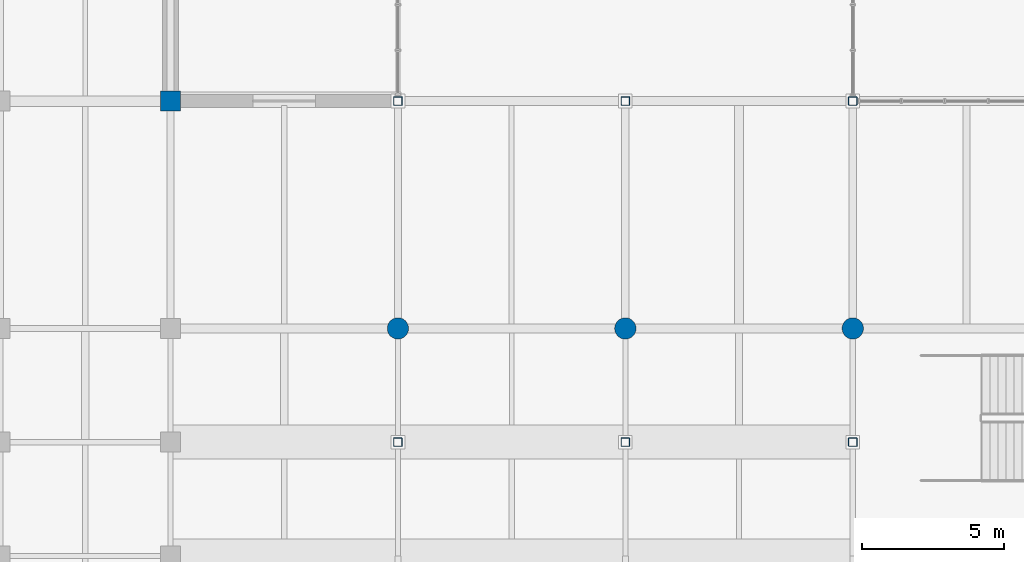
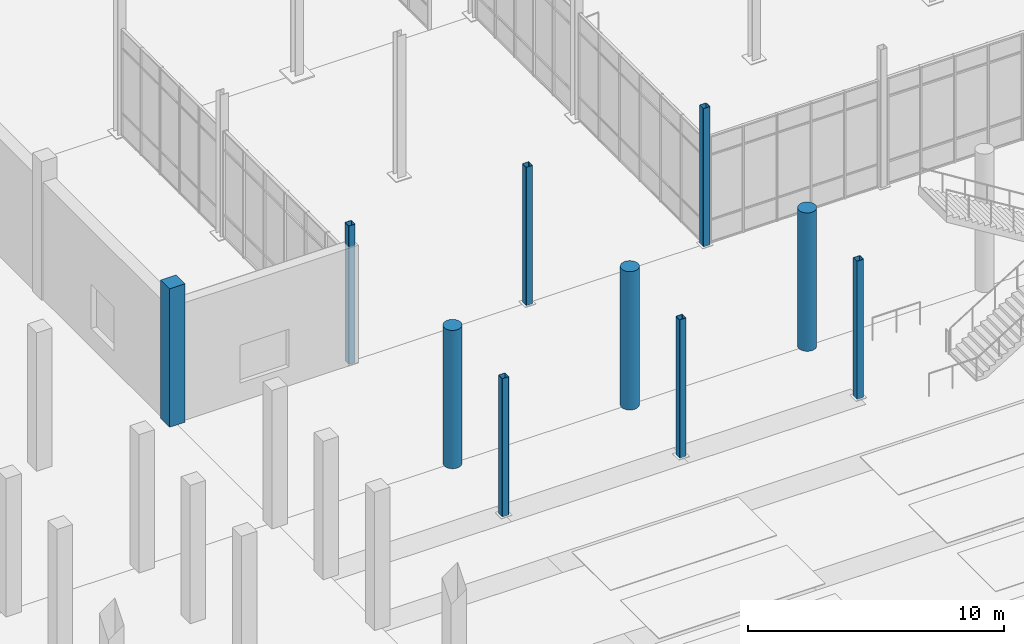
# One storey, part 4 of 140: 10 columns.
"""IFC4 building model written with IfcOpenShell, lengths in metres."""

from ifc_helpers import new_model, si_unit, direction, frame, origin, origin_2d, place, context, subcontext, project, spatial, rectangle, hollow_rectangle, circle, extrude, material, material_profile, profile_set, type_object, element, save


model = new_model("IFC4")

# Units and contexts
model_context = context("Model", 3, precision=1e-05, world=origin(), true_north=direction((0.0, 1.0)))
body_context = subcontext(model_context, "Body", "Model", "MODEL_VIEW")
ifc_project = project(units=[si_unit("LENGTHUNIT", "METRE"), si_unit("AREAUNIT", "SQUARE_METRE"), si_unit("VOLUMEUNIT", "CUBIC_METRE"), si_unit("PLANEANGLEUNIT", "RADIAN"), si_unit("MASSUNIT", "GRAM", prefix="KILO")], contexts=[model_context])

# Site, building, storey
site_placement = place(None, origin())
site = spatial("IfcSite", under=ifc_project, at=site_placement, CompositionType="ELEMENT")
building_placement = place(site_placement, origin())
building = spatial("IfcBuilding", under=site, at=building_placement, Name="Verrall Gate Interchange", CompositionType="ELEMENT")
storey_placement = place(building_placement, origin())
storey = spatial("IfcBuildingStorey", under=building, at=storey_placement, Name="L01", CompositionType="ELEMENT", Elevation=0.0)

# Columns
ifc_material_1 = material(Name="Concrete CSA A23.1 40 MPa (Class N)", Category="concrete")
ifc_material_profile_1 = material_profile(ifc_material_1, rectangle(XDim=0.699951171875, YDim=0.699951171875, at=origin_2d()), Name="RC700x700")
ifc_profile_set_1 = profile_set([ifc_material_profile_1], Name="Concrete CSA A23.1 40 MPa (Class N)")
column_type_1 = type_object("IfcColumnType", Name="C-03 Column RC700x700", PredefinedType="COLUMN", material=ifc_profile_set_1)
column_placement = place(storey_placement, frame((36.0, 56.0, 0.0), z_axis=(0.0, 0.0, 1.0), x_axis=(1.0, 0.0, 0.0)))
element("IfcColumn", 1, at=column_placement, inside=storey, type_object=column_type_1, Name="L01 Column COL-L01-0796 (C-03)", PredefinedType="COLUMN", context=body_context, shape_type="SweptSolid", body=[
    extrude(rectangle(XDim=0.699951171875, YDim=0.699951171875, at=origin_2d()), origin(), (0.0, 0.0, 1.0), 6.60009765625),
])
ifc_material_2 = material(Name="Concrete CSA A23.1 40 MPa (Class N)", Category="concrete")
ifc_material_profile_2 = material_profile(ifc_material_2, circle(Radius=0.375, at=origin_2d()), Name="RC750D")
ifc_profile_set_2 = profile_set([ifc_material_profile_2], Name="Concrete CSA A23.1 40 MPa (Class N)")
column_type_2 = type_object("IfcColumnType", Name="C-07 Column RC750D", PredefinedType="COLUMN", material=ifc_profile_set_2)
for number, where, z_axis, x_axis, name in (
    (2, (44.0, 48.0, 0.0), (0.0, 0.0, 1.0), (1.0, 0.0, 0.0), "L01 Column COL-L01-0856 (C-07)"),
    (3, (52.0, 48.0, 0.0), (0.0, 0.0, 1.0), (1.0, 0.0, 0.0), "L01 Column COL-L01-0894 (C-07)"),
    (4, (60.0, 48.0, 0.0), (0.0, 0.0, 1.0), (1.0, 0.0, 0.0), "L01 Column COL-L01-0930 (C-07)"),
):
    element("IfcColumn", number, at=place(storey_placement, frame(where, z_axis=z_axis, x_axis=x_axis)), inside=storey, type_object=column_type_2, Name=name, PredefinedType="COLUMN", context=body_context, shape_type="SweptSolid", body=[
        extrude(circle(Radius=0.375, at=origin_2d()), origin(), (0.0, 0.0, 1.0), 6.60009765625),
    ])
ifc_material_3 = material(Name="Structural Steel CSA G40.21 350WT Cat 4", Category="steel")
ifc_material_profile_3 = material_profile(ifc_material_3, hollow_rectangle(XDim=0.304931640625, YDim=0.304931640625, WallThickness=0.0126953125, InnerFilletRadius=0.0126953125, OuterFilletRadius=0.025390625, at=origin_2d()), Name="HSS305x305x13")
ifc_profile_set_3 = profile_set([ifc_material_profile_3], Name="Structural Steel CSA G40.21 350WT Cat 4")
column_type_3 = type_object("IfcColumnType", Name="C-12 Column HSS305x305x13", PredefinedType="COLUMN", material=ifc_profile_set_3)
for number, where, z_axis, x_axis, name in (
    (5, (44.0, 44.0, 0.0), (0.0, 0.0, 1.0), (1.0, 0.0, 0.0), "L01 Column COL-L01-0852 (C-12)"),
    (6, (44.0, 56.0, 0.0), (0.0, 0.0, 1.0), (1.0, 0.0, 0.0), "L01 Column COL-L01-0860 (C-12)"),
    (7, (52.0, 44.0, 0.0), (0.0, 0.0, 1.0), (1.0, 0.0, 0.0), "L01 Column COL-L01-0890 (C-12)"),
    (8, (52.0, 56.0, 0.0), (0.0, 0.0, 1.0), (1.0, 0.0, 0.0), "L01 Column COL-L01-0898 (C-12)"),
    (9, (60.0, 44.0, 0.0), (0.0, 0.0, 1.0), (1.0, 0.0, 0.0), "L01 Column COL-L01-0926 (C-12)"),
    (10, (60.0, 56.0, 0.0), (0.0, 0.0, 1.0), (1.0, 0.0, 0.0), "L01 Column COL-L01-0934 (C-12)"),
):
    element("IfcColumn", number, at=place(storey_placement, frame(where, z_axis=z_axis, x_axis=x_axis)), inside=storey, type_object=column_type_3, Name=name, PredefinedType="COLUMN", context=body_context, shape_type="SweptSolid", body=[
        extrude(hollow_rectangle(XDim=0.304931640625, YDim=0.304931640625, WallThickness=0.0126953125, InnerFilletRadius=0.0126953125, OuterFilletRadius=0.025390625, at=origin_2d()), origin(), (0.0, 0.0, 1.0), 6.60009765625),
    ])

save(model, "model.ifc")
